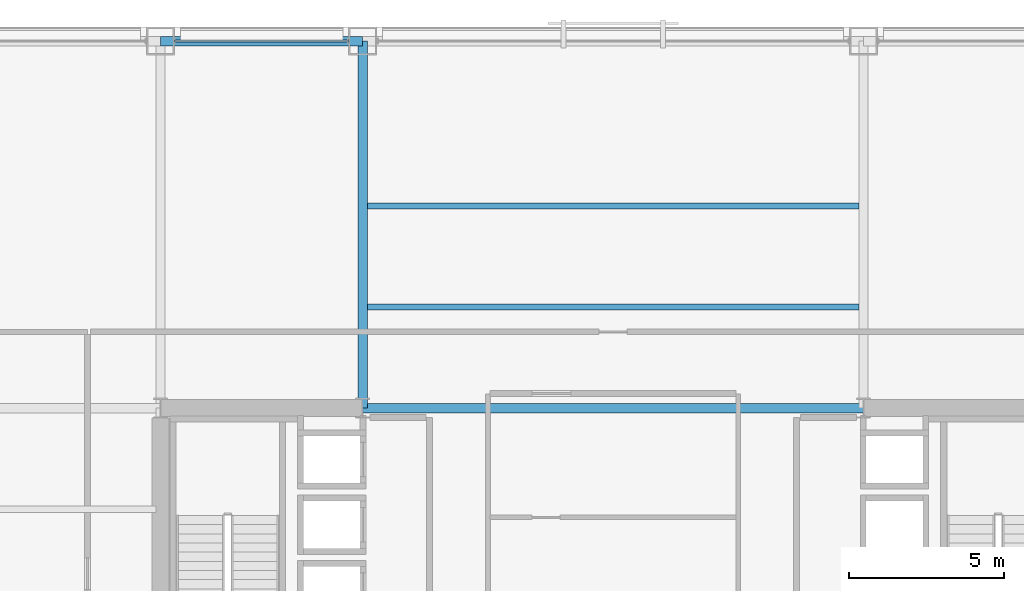
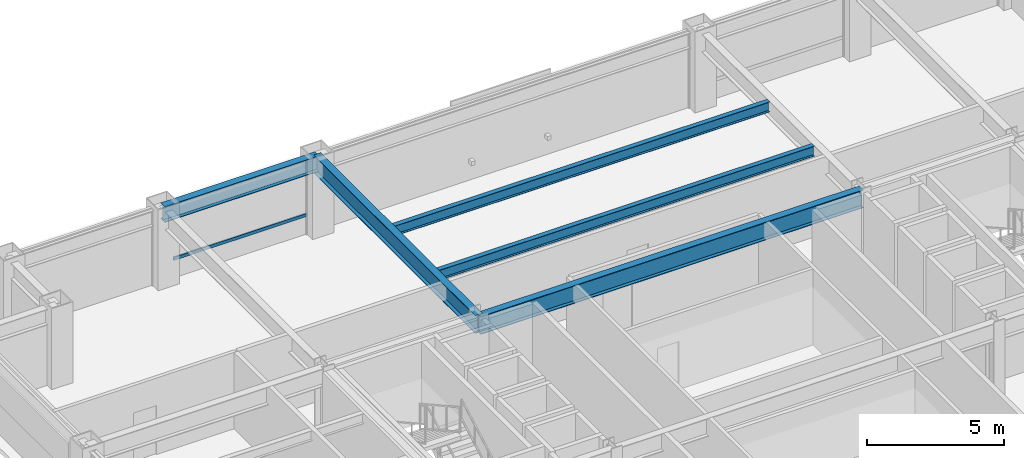
# One storey, part 16 of 29: 5 beams, 1 member, 1 element without a shape of its own.
"""IFC4 building model written with IfcOpenShell, lengths in metres."""

from ifc_helpers import new_model, si_unit, direction, frame, origin, origin_2d, place, context, subcontext, project, spatial, hollow_rectangle, i_section, extrude, material, layer, layer_set, material_profile, profile_set, type_object, element, aggregate, save


model = new_model("IFC4")

# Units and contexts
model_context = context("Model", 3, precision=1e-05, world=origin(), true_north=direction((0.0, 1.0)))
body_context = subcontext(model_context, "Body", "Model", "MODEL_VIEW")
ifc_project = project(units=[si_unit("LENGTHUNIT", "METRE"), si_unit("AREAUNIT", "SQUARE_METRE"), si_unit("VOLUMEUNIT", "CUBIC_METRE"), si_unit("PLANEANGLEUNIT", "RADIAN"), si_unit("MASSUNIT", "GRAM", prefix="KILO")], contexts=[model_context])

# Site, building, storey
site_placement = place(None, origin())
site = spatial("IfcSite", under=ifc_project, at=site_placement, CompositionType="ELEMENT")
building_placement = place(site_placement, origin())
building = spatial("IfcBuilding", under=site, at=building_placement, Name="Brelmoor Portico Tower", CompositionType="ELEMENT")
storey_placement = place(building_placement, frame((0.0, 0.0, 63.60009765625)))
storey = spatial("IfcBuildingStorey", under=building, at=storey_placement, Name="L16", CompositionType="ELEMENT", Elevation=63.60009765625)

# Beams
ifc_material_1 = material(Name="Steel Q355B", Category="steel")
ifc_material_profile_1 = material_profile(ifc_material_1, i_section(OverallWidth=0.199951171875, OverallDepth=0.449951171875, WebThickness=0.009033203125, FlangeThickness=0.013916015625, at=origin_2d()), Name="HN 450x200x9x14")
ifc_profile_set_1 = profile_set([ifc_material_profile_1], Name="Steel Q355B")
beam_type_1 = type_object("IfcBeamType", Name="BM-JS-450", PredefinedType="JOIST", material=ifc_profile_set_1)
for number, where, z_axis, x_axis, name in (
    (1, (-7.89990234375, 13.0, 3.1748046875), (1.0, 0.0, 0.0), (0.0, 1.0, 0.0), "L16 Secondary Composite Joist JS-C03"),
    (2, (-7.89990234375, 16.25, 3.1748046875), (1.0, 0.0, 0.0), (0.0, 1.0, 0.0), "L16 Secondary Composite Joist JS-C04"),
):
    element("IfcBeam", number, at=place(storey_placement, frame(where, z_axis=z_axis, x_axis=x_axis)), inside=storey, type_object=beam_type_1, Name=name, PredefinedType="JOIST", context=body_context, shape_type="SweptSolid", body=[
        extrude(i_section(OverallWidth=0.199951171875, OverallDepth=0.449951171875, WebThickness=0.009033203125, FlangeThickness=0.013916015625, at=origin_2d()), origin(), (0.0, 0.0, 1.0), 15.7998046875),
    ])
ifc_material_profile_2 = material_profile(ifc_material_1, i_section(OverallWidth=0.300048828125, OverallDepth=0.800048828125, WebThickness=0.013916015625, FlangeThickness=0.02587890625, at=origin_2d()), Name="HN 800x300x14x26")
ifc_profile_set_2 = profile_set([ifc_material_profile_2], Name="Steel Q355B")
beam_type_2 = type_object("IfcBeamType", Name="BM-PG-800", PredefinedType="BEAM", material=ifc_profile_set_2)
beam_1_placement = place(storey_placement, frame((-8.050048828125, 9.75, 3.0), z_axis=(0.0, 1.0, 0.0), x_axis=(-1.0, 0.0, 0.0)))
element("IfcBeam", 3, at=beam_1_placement, inside=storey, type_object=beam_type_2, Name="L16 Primary Floor Girder PG-08", PredefinedType="BEAM", context=body_context, shape_type="SweptSolid", body=[
    extrude(i_section(OverallWidth=0.300048828125, OverallDepth=0.800048828125, WebThickness=0.013916015625, FlangeThickness=0.02587890625, at=origin_2d()), origin(), (0.0, 0.0, 1.0), 11.800048828125),
])
beam_2_placement = place(storey_placement, frame((-8.050048828125, 9.75, 3.0), z_axis=(1.0, 0.0, 0.0), x_axis=(0.0, 1.0, 0.0)))
element("IfcBeam", 4, at=beam_2_placement, inside=storey, type_object=beam_type_2, Name="L16 Primary Floor Girder PG-29", PredefinedType="BEAM", context=body_context, shape_type="SweptSolid", body=[
    extrude(i_section(OverallWidth=0.300048828125, OverallDepth=0.800048828125, WebThickness=0.013916015625, FlangeThickness=0.02587890625, at=origin_2d()), origin(), (0.0, 0.0, 1.0), 16.10009765625),
])
ifc_material_profile_3 = material_profile(ifc_material_1, i_section(OverallWidth=0.300048828125, OverallDepth=0.699951171875, WebThickness=0.012939453125, FlangeThickness=0.02392578125, at=origin_2d()), Name="HN 700x300x13x24")
ifc_profile_set_3 = profile_set([ifc_material_profile_3], Name="Steel Q355B")
beam_type_3 = type_object("IfcBeamType", Name="BM-SP-700", PredefinedType="SPANDREL", material=ifc_profile_set_3)
beam_3_placement = place(storey_placement, frame((-14.550048828125, 21.550048828125, 3.0498046875), z_axis=(1.0, 0.0, 0.0), x_axis=(0.0, 1.0, 0.0)))
element("IfcBeam", 5, at=beam_3_placement, inside=storey, type_object=beam_type_3, Name="L16 Perimeter Spandrel Beam SP-11", PredefinedType="SPANDREL", context=body_context, shape_type="SweptSolid", body=[
    extrude(i_section(OverallWidth=0.300048828125, OverallDepth=0.699951171875, WebThickness=0.012939453125, FlangeThickness=0.02392578125, at=origin_2d()), origin(), (0.0, 0.0, 1.0), 6.5),
])

# Curtain wall, member
ifc_material_2 = material(Name="Anodised Aluminium Alloy 6063-T6", Category="aluminium")
ifc_layer = layer(ifc_material_2, 0.179931640625)
ifc_layer_set = layer_set([ifc_layer], Name="Anodised Aluminium Alloy 6063-T6")
curtain_wall_type = type_object("IfcCurtainWallType", Name="CW-TOWER-Z1", PredefinedType="NOTDEFINED", material=ifc_layer_set)
curtain_wall_placement = place(storey_placement, origin())
curtain_wall = element("IfcCurtainWall", 6, at=curtain_wall_placement, inside=storey, type_object=curtain_wall_type, Name="L16 Curtain Wall CW-L16-02-2", PredefinedType="NOTDEFINED")
ifc_material_profile_4 = material_profile(ifc_material_2, hollow_rectangle(XDim=0.06494140625, YDim=0.139892578125, WallThickness=0.00390625, at=origin_2d()), Name="ALU TRANSOM 65x140")
ifc_profile_set_4 = profile_set([ifc_material_profile_4], Name="Anodised Aluminium Alloy 6063-T6")
member_type = type_object("IfcMemberType", Name="MB-CW-TRAN-140", PredefinedType="USERDEFINED", material=ifc_profile_set_4)
member_placement = place(storey_placement, frame((-14.090087890625, 21.550048828125, 0.849853515625), z_axis=(1.0, 0.0, 0.0), x_axis=(0.0, 1.0, 0.0)))
member = element("IfcMember", 7, at=member_placement, type_object=member_type, Name="CW-L16-02-2 Transom 1-00", ObjectType="TRANSOM", PredefinedType="USERDEFINED", context=body_context, shape_type="SweptSolid", body=[
    extrude(hollow_rectangle(XDim=0.06494140625, YDim=0.139892578125, WallThickness=0.00390625, at=origin_2d()), origin(), (0.0, 0.0, 1.0), 5.580078125),
])
aggregate(curtain_wall, [member])

save(model, "model.ifc")
